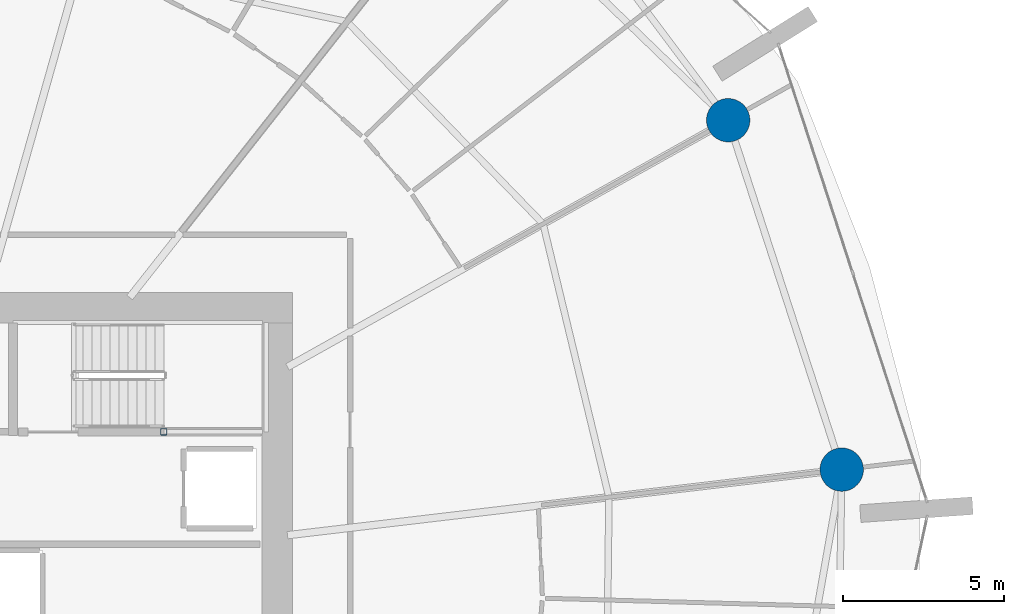
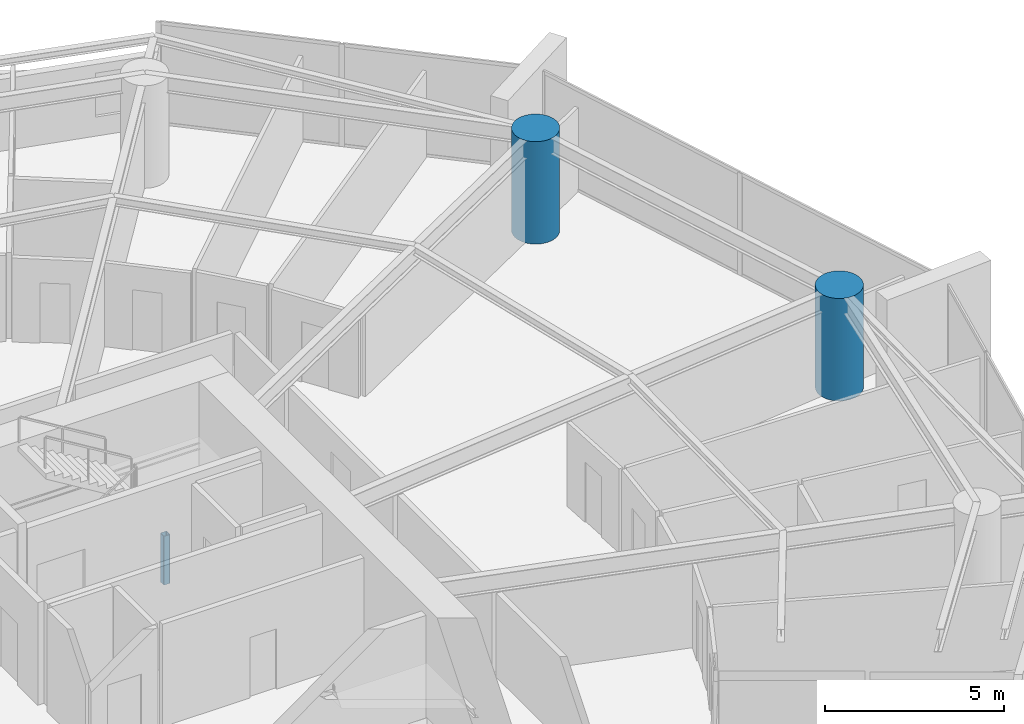
# One storey, part 5 of 30: 3 columns.
"""IFC4 building model written with IfcOpenShell, lengths in metres."""

from ifc_helpers import new_model, si_unit, direction, frame, origin, origin_2d, place, context, subcontext, project, spatial, hollow_rectangle, circle, extrude, material, material_profile, profile_set, type_object, element, save


model = new_model("IFC4")

# Units and contexts
model_context = context("Model", 3, precision=1e-05, world=origin(), true_north=direction((0.0, 1.0)))
body_context = subcontext(model_context, "Body", "Model", "MODEL_VIEW")
ifc_project = project(units=[si_unit("LENGTHUNIT", "METRE"), si_unit("AREAUNIT", "SQUARE_METRE"), si_unit("VOLUMEUNIT", "CUBIC_METRE"), si_unit("PLANEANGLEUNIT", "RADIAN"), si_unit("MASSUNIT", "GRAM", prefix="KILO")], contexts=[model_context])

# Site, building, storey
site_placement = place(None, origin())
site = spatial("IfcSite", under=ifc_project, at=site_placement, CompositionType="ELEMENT")
building_placement = place(site_placement, origin())
building = spatial("IfcBuilding", under=site, at=building_placement, Name="Kazma Halo Residences", CompositionType="ELEMENT")
storey_placement = place(building_placement, frame((0.0, 0.0, 56.39990234375)))
storey = spatial("IfcBuildingStorey", under=building, at=storey_placement, Name="L13", CompositionType="ELEMENT", Elevation=56.39990234375)

# Columns
ifc_material_1 = material(Name="Steel S355", Category="steel")
ifc_material_profile_1 = material_profile(ifc_material_1, hollow_rectangle(XDim=0.199951171875, YDim=0.199951171875, WallThickness=0.010009765625, InnerFilletRadius=0.010009765625, OuterFilletRadius=0.02001953125, at=origin_2d()), Name="SHS200x200x10")
ifc_profile_set_1 = profile_set([ifc_material_profile_1], Name="Steel S355")
column_type_1 = type_object("IfcColumnType", Name="COL-LP-SHS200", PredefinedType="COLUMN", material=ifc_profile_set_1)
column_placement = place(storey_placement, frame((56.0, 46.6201171875, 0.0), z_axis=(0.0, 0.0, 1.0), x_axis=(1.0, 0.0, 0.0)))
element("IfcColumn", 1, at=column_placement, inside=storey, type_object=column_type_1, Name="L13 ST-02 landing pilaster 1", PredefinedType="COLUMN", context=body_context, shape_type="SweptSolid", body=[
    extrude(hollow_rectangle(XDim=0.199951171875, YDim=0.199951171875, WallThickness=0.010009765625, InnerFilletRadius=0.010009765625, OuterFilletRadius=0.02001953125, at=origin_2d()), origin(), (0.0, 0.0, 1.0), 1.670166015625),
])
ifc_material_2 = material(Name="Concrete C80/95", Category="concrete")
ifc_material_profile_2 = material_profile(ifc_material_2, circle(Radius=0.675048828125, at=origin_2d()), Name="CIRC1350")
ifc_profile_set_2 = profile_set([ifc_material_profile_2], Name="Concrete C80/95")
column_type_2 = type_object("IfcColumnType", Name="COL-PERIM-1350", PredefinedType="COLUMN", material=ifc_profile_set_2)
for number, where, z_axis, x_axis, name in (
    (2, (73.56494140625, 56.317138671875, 0.0), (0.0, 0.0, 1.0), (1.0, 0.0, 0.0), "L13 perimeter ring column P01"),
    (3, (77.097900390625, 45.444091796875, 0.0), (0.0, 0.0, 1.0), (1.0, 0.0, 0.0), "L13 perimeter ring column P16"),
):
    element("IfcColumn", number, at=place(storey_placement, frame(where, z_axis=z_axis, x_axis=x_axis)), inside=storey, type_object=column_type_2, Name=name, PredefinedType="COLUMN", context=body_context, shape_type="SweptSolid", body=[
        extrude(circle(Radius=0.675048828125, at=origin_2d()), origin(), (0.0, 0.0, 1.0), 3.5),
    ])

save(model, "model.ifc")
